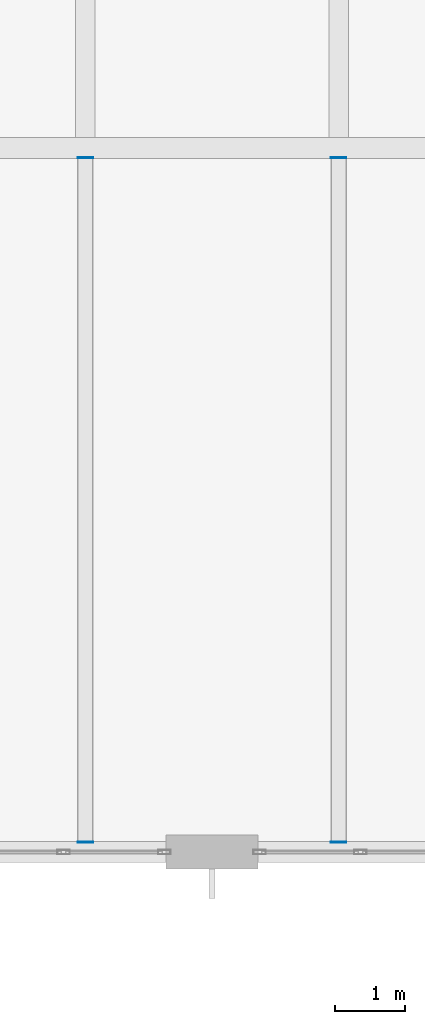
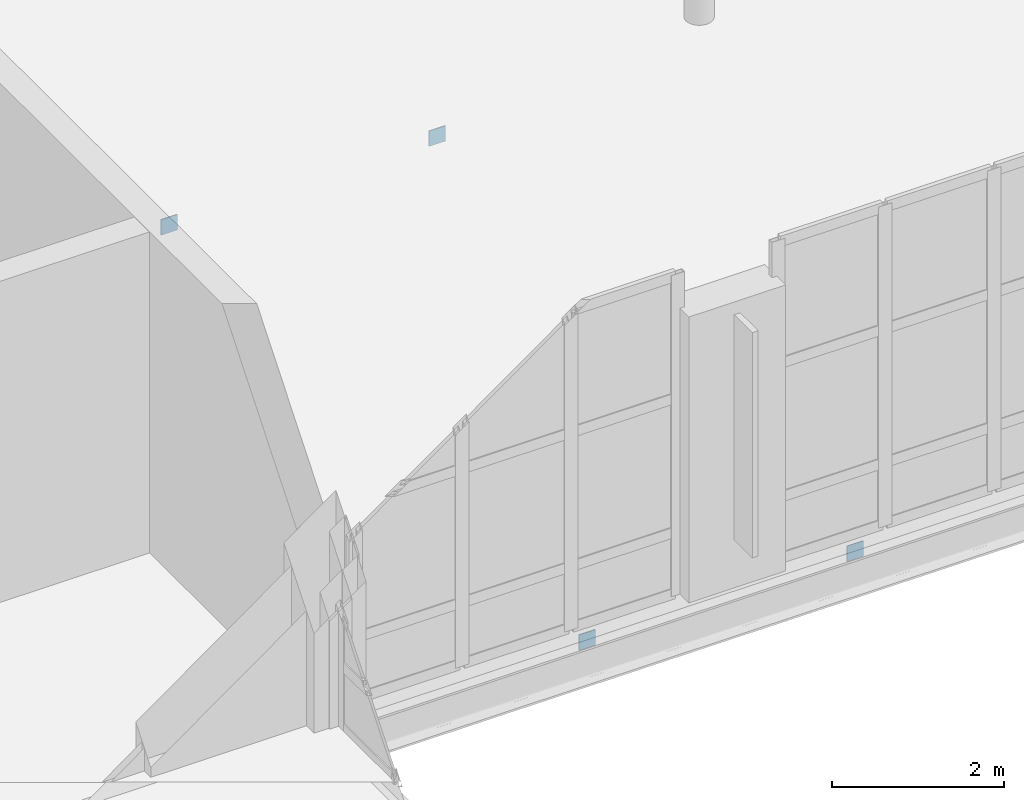
# One storey, part 66 of 92: 4 plates.
"""IFC4 building model written with IfcOpenShell, lengths in metres."""

from ifc_helpers import new_model, si_unit, direction, frame, origin, origin_2d, place, context, subcontext, project, spatial, rectangle, extrude, material, layer, layer_set, type_object, element, save


model = new_model("IFC4")

# Units and contexts
model_context = context("Model", 3, precision=1e-05, world=origin(), true_north=direction((0.0, 1.0)))
body_context = subcontext(model_context, "Body", "Model", "MODEL_VIEW")
ifc_project = project(units=[si_unit("LENGTHUNIT", "METRE"), si_unit("AREAUNIT", "SQUARE_METRE"), si_unit("VOLUMEUNIT", "CUBIC_METRE"), si_unit("PLANEANGLEUNIT", "RADIAN"), si_unit("MASSUNIT", "GRAM", prefix="KILO")], contexts=[model_context])

# Site, building, storey
site_placement = place(None, origin())
site = spatial("IfcSite", under=ifc_project, at=site_placement, CompositionType="ELEMENT")
building_placement = place(site_placement, origin())
building = spatial("IfcBuilding", under=site, at=building_placement, Name="Tasgan Crest Museum", CompositionType="ELEMENT")
storey_placement = place(building_placement, frame((0.0, 0.0, 4.800048828125)))
storey = spatial("IfcBuildingStorey", under=building, at=storey_placement, Name="L01", CompositionType="ELEMENT", Elevation=4.800048828125)

# Plates
ifc_material = material(Name="Steel S355K2", Category="steel")
ifc_layer = layer(ifc_material, 0.219970703125, Name="PL-CAP-14x220x220")
ifc_layer_set = layer_set([ifc_layer], Name="Steel S355K2")
plate_type = type_object("IfcPlateType", Name="PL-CAP-14x220x220", PredefinedType="USERDEFINED", material=ifc_layer_set)
for number, where, z_axis, x_axis, name in (
    (1, (57.60009765625, 40.137939453125, -0.4599609375), (0.0, 0.0, 1.0), (0.0, 1.0, 0.0), "End plate Secondary joist L01 X=57.6 Y=40.0-50.0 end A"),
    (2, (57.60009765625, 49.862060546875, -0.4599609375), (0.0, 0.0, 1.0), (0.0, 1.0, 0.0), "End plate Secondary joist L01 X=57.6 Y=40.0-50.0 end B"),
    (3, (61.199951171875, 40.137939453125, -0.4599609375), (0.0, 0.0, 1.0), (0.0, 1.0, 0.0), "End plate Secondary joist L01 X=61.2 Y=40.0-50.0 end A"),
    (4, (61.199951171875, 49.862060546875, -0.4599609375), (0.0, 0.0, 1.0), (0.0, 1.0, 0.0), "End plate Secondary joist L01 X=61.2 Y=40.0-50.0 end B"),
):
    element("IfcPlate", number, at=place(storey_placement, frame(where, z_axis=z_axis, x_axis=x_axis)), inside=storey, type_object=plate_type, Name=name, ObjectType="END PLATE", PredefinedType="USERDEFINED", context=body_context, shape_type="SweptSolid", body=[
        extrude(rectangle(XDim=0.013916015625, YDim=0.219970703125, at=origin_2d()), origin(), (0.0, 0.0, 1.0), 0.219970703125),
    ])

save(model, "model.ifc")
